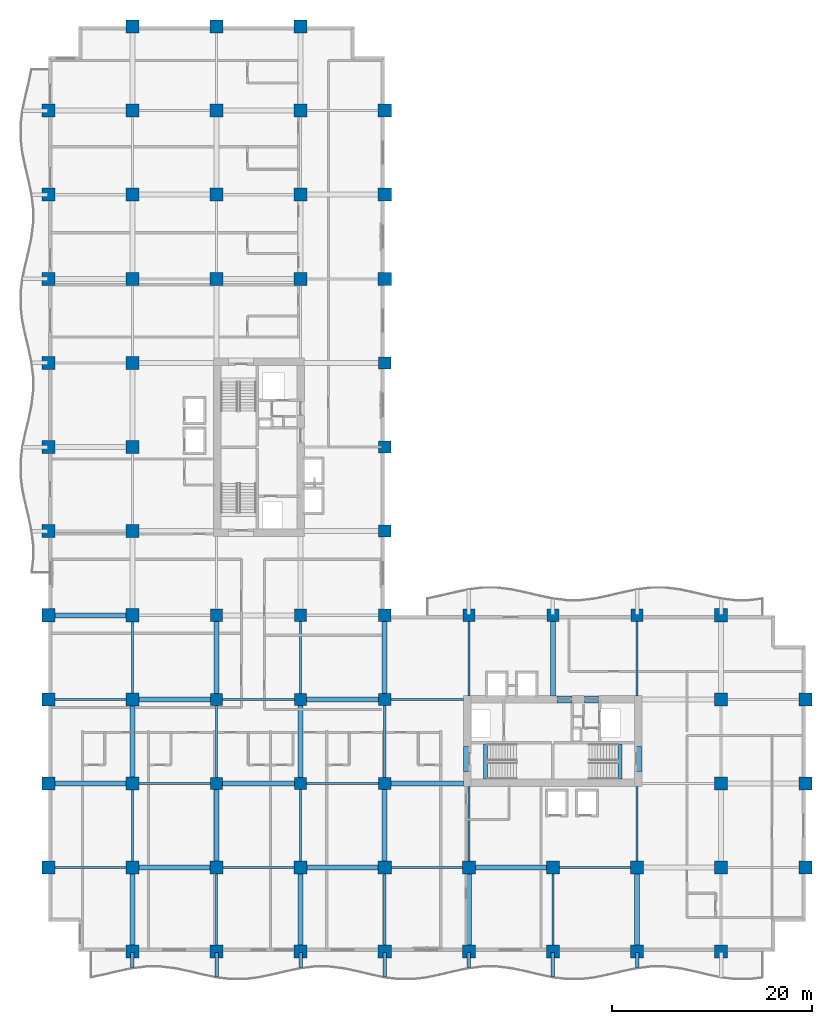
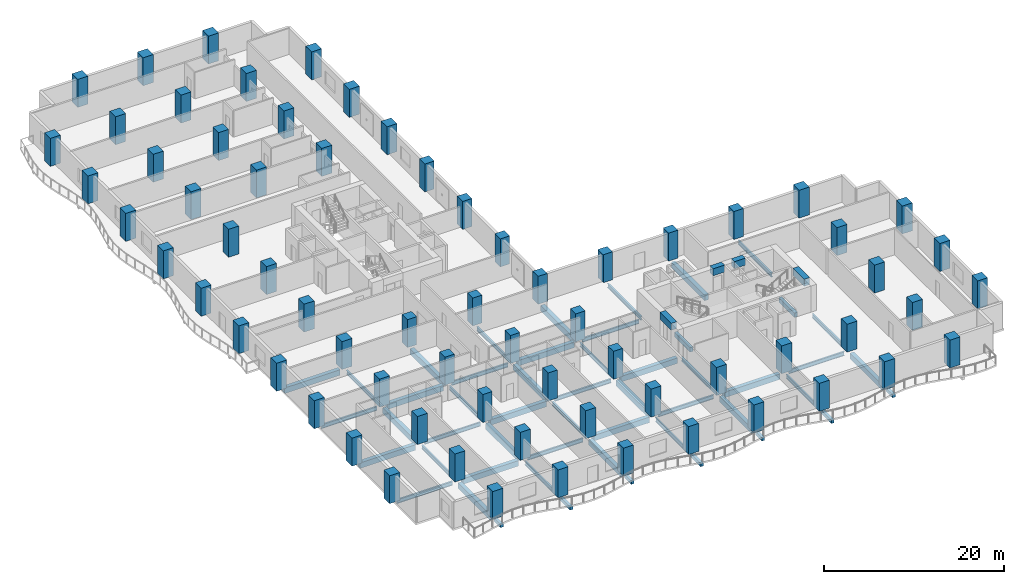
# One storey, part 1 of 17: 68 columns, 55 beams.
"""IFC4 building model written with IfcOpenShell, lengths in metres."""

import ifcopenshell
import ifcopenshell.guid

model = None  # the IFC model being written
_history = None  # IfcOwnerHistory: only IFC2X3 demands one
_inside = {}  # id of a spatial element -> (the spatial element, [elements in it])
_under = {}  # id of a project, library or spatial element -> (it, [spatial elements below it])
_declared = {}  # id of a project -> (the project, [libraries it declares])
_typed = {}  # id of a type object -> (the type object, [elements of that type])
_made_of = {}  # id of a material, layer set ... -> (it, [elements and type objects made of it])


def new_model(schema):
    """Start an empty IFC model of exactly this schema.

    Asked for "IFC4X3", IfcOpenShell would pick the latest addendum, in which some entities
    have other attributes; the version numbers below select the first issue.
    IFC2X3 requires an IfcOwnerHistory on every rooted entity: one is made here for all.
    """
    global model, _history
    if schema == "IFC4X3":
        model = ifcopenshell.file(schema_version=(4, 3, 0, 0))
    else:
        model = ifcopenshell.file(schema=schema)
    _inside.clear()
    _under.clear()
    _declared.clear()
    _typed.clear()
    _made_of.clear()
    _history = None
    if model.schema == "IFC2X3":
        org = make("IfcOrganization", Name="unknown")
        user = make(
            "IfcPersonAndOrganization",
            ThePerson=make("IfcPerson", FamilyName="unknown"),
            TheOrganization=org,
        )
        app = make(
            "IfcApplication",
            ApplicationDeveloper=org,
            Version="unknown",
            ApplicationFullName="unknown",
            ApplicationIdentifier="unknown",
        )
        _history = make(
            "IfcOwnerHistory",
            OwningUser=user,
            OwningApplication=app,
            ChangeAction="ADDED",
            CreationDate=0,
        )
    return model


def make(cls, **values):
    """One entity of the class cls with the attributes given. An attribute that is None is left unset."""
    return model.create_entity(
        cls, **{name: value for name, value in values.items() if value is not None}
    )


def rooted(cls, **values):
    """An entity with a GlobalId (a new one), such as an element, a storey or a relation."""
    return make(cls, GlobalId=ifcopenshell.guid.new(), OwnerHistory=_history, **values)


def si_unit(unit_type, name, prefix=None):
    """IfcSIUnit, for example si_unit("LENGTHUNIT", "METRE", prefix="MILLI")."""
    return make("IfcSIUnit", UnitType=unit_type, Prefix=prefix, Name=name)


def assignment(units):
    """IfcUnitAssignment: the units of a project."""
    return None if units is None else make("IfcUnitAssignment", Units=units)


def point(xyz):
    """IfcCartesianPoint."""
    return None if xyz is None else make("IfcCartesianPoint", Coordinates=xyz)


def direction(xyz):
    """IfcDirection."""
    return None if xyz is None else make("IfcDirection", DirectionRatios=xyz)


def frame(location, z_axis=None, x_axis=None):
    """IfcAxis2Placement3D, a coordinate frame: its origin and axes. An axis left out is left unset."""
    return make(
        "IfcAxis2Placement3D",
        Location=point(location),
        Axis=direction(z_axis),
        RefDirection=direction(x_axis),
    )


def frame_2d(location, x_axis=None):
    """IfcAxis2Placement2D, a coordinate frame in the plane: its origin and x axis."""
    return make(
        "IfcAxis2Placement2D", Location=point(location), RefDirection=direction(x_axis)
    )


def origin():
    """The frame at (0, 0, 0) with its axes left unset."""
    return frame((0.0, 0.0, 0.0))


def origin_2d():
    """The frame at (0, 0) in the plane with its x axis left unset."""
    return frame_2d((0.0, 0.0))


def place(relative_to, where):
    """IfcLocalPlacement: puts the frame where relative to a parent placement (None: the world)."""
    return make(
        "IfcLocalPlacement", PlacementRelTo=relative_to, RelativePlacement=where
    )


def context(
    kind, dimensions, precision=None, world=None, true_north=None, identifier=None
):
    """IfcGeometricRepresentationContext, for example the 3D "Model" context."""
    return make(
        "IfcGeometricRepresentationContext",
        ContextIdentifier=identifier,
        ContextType=kind,
        CoordinateSpaceDimension=dimensions,
        Precision=precision,
        WorldCoordinateSystem=world,
        TrueNorth=true_north,
    )


def subcontext(parent, identifier, kind, view, scale=None):
    """IfcGeometricRepresentationSubContext, for example "Body" below "Model"."""
    return make(
        "IfcGeometricRepresentationSubContext",
        ContextIdentifier=identifier,
        ContextType=kind,
        ParentContext=parent,
        TargetScale=scale,
        TargetView=view,
    )


def project(units=None, contexts=None):
    """IfcProject with its units and contexts."""
    return rooted(
        "IfcProject",
        Name="project",
        RepresentationContexts=contexts,
        UnitsInContext=assignment(units),
    )


def spatial(cls, under=None, at=None, **own):
    """A site, building, storey or space (cls), placed at a placement, below another one or the project."""
    s = rooted(cls, ObjectPlacement=at, **own)
    if under is not None:
        _under.setdefault(under.id(), (under, []))[1].append(s)
    return s


def profile(cls, at=None, kind="AREA", **sizes):
    """A parametric profile (cls). Its sizes go by their IFC names, for example OverallWidth=200.0."""
    return make(cls, ProfileType=kind, Position=at, **sizes)


def rectangle(**sizes):
    """IfcRectangleProfileDef."""
    return profile("IfcRectangleProfileDef", **sizes)


def i_section(**sizes):
    """IfcIShapeProfileDef."""
    return profile("IfcIShapeProfileDef", **sizes)


def extrude(swept, where, along, depth):
    """IfcExtrudedAreaSolid: the profile swept, set in the frame where, extruded along a direction by depth."""
    return make(
        "IfcExtrudedAreaSolid",
        SweptArea=swept,
        Position=where,
        ExtrudedDirection=direction(along),
        Depth=depth,
    )


def shape(context_of_items, identifier, shape_type, items):
    """IfcShapeRepresentation: the items that make up one representation, for example the "Body"."""
    return make(
        "IfcShapeRepresentation",
        ContextOfItems=context_of_items,
        RepresentationIdentifier=identifier,
        RepresentationType=shape_type,
        Items=items,
    )


def material(Name=None, Category=None):
    """IfcMaterial."""
    return make("IfcMaterial", Name=Name, Category=Category)


def material_profile(
    of_material, cross_section, Name=None, Category=None, Priority=None
):
    """IfcMaterialProfile: a cross section and its material."""
    return make(
        "IfcMaterialProfile",
        Name=Name,
        Material=of_material,
        Profile=cross_section,
        Priority=Priority,
        Category=Category,
    )


def profile_set(profiles, Name=None, composite=None):
    """IfcMaterialProfileSet."""
    return make(
        "IfcMaterialProfileSet",
        Name=Name,
        MaterialProfiles=profiles,
        CompositeProfile=composite,
    )


def made_of(thing, what):
    """Note that an element or type object is made of a material, layer set ...; save() writes the relation."""
    if what is not None:
        _made_of.setdefault(what.id(), (what, []))[1].append(thing)
    return thing


def type_object(cls, material=None, **own):
    """A type object (cls), such as IfcWallType, which elements share."""
    return made_of(rooted(cls, **own), material)


def element(
    cls,
    number,
    at=None,
    inside=None,
    cuts=None,
    type_object=None,
    material=None,
    context=None,
    identifier="Body",
    shape_type=None,
    held_by="IfcProductDefinitionShape",
    body=None,
    shapes=None,
    **own,
):
    """One element of the class cls, such as IfcWall. Its Tag is "e" and its number.

    at: its placement. inside: the storey or other place that contains it. cuts: it is an
    opening in that element (IfcRelVoidsElement). A single representation is given by context,
    identifier, shape_type and body (its items); several are given by shapes. held_by: the class
    of the entity that holds the representations. save() writes the other relations.
    """
    e = rooted(cls, Tag="e%d" % number, ObjectPlacement=at, **own)
    if body is not None:
        shapes = [shape(context, identifier, shape_type, body)]
    if shapes is not None:
        e.Representation = make(held_by, Representations=shapes)
    if inside is not None:
        _inside.setdefault(inside.id(), (inside, []))[1].append(e)
    if cuts is not None:
        rooted(
            "IfcRelVoidsElement", RelatingBuildingElement=cuts, RelatedOpeningElement=e
        )
    if type_object is not None:
        _typed.setdefault(type_object.id(), (type_object, []))[1].append(e)
    return made_of(e, material)


def aggregate(whole, parts):
    """IfcRelAggregates: a whole, such as a stair, and the parts it consists of."""
    return rooted("IfcRelAggregates", RelatingObject=whole, RelatedObjects=parts)


def save(model, path):
    """Write the relations noted so far, then the file.

    IfcRelAggregates (storeys below a building ...), IfcRelContainedInSpatialStructure (elements
    in a storey), IfcRelDefinesByType, IfcRelAssociatesMaterial and IfcRelDeclares: one each for
    every whole, place, type object, material and project.
    """
    for whole, parts in _under.values():
        aggregate(whole, parts)
    for where, things in _inside.values():
        rooted(
            "IfcRelContainedInSpatialStructure",
            RelatedElements=things,
            RelatingStructure=where,
        )
    for kind, things in _typed.values():
        rooted("IfcRelDefinesByType", RelatedObjects=things, RelatingType=kind)
    for what, things in _made_of.values():
        rooted("IfcRelAssociatesMaterial", RelatedObjects=things, RelatingMaterial=what)
    for by, libraries in _declared.values():
        rooted("IfcRelDeclares", RelatingContext=by, RelatedDefinitions=libraries)
    model.write(path)


model = new_model("IFC4")

# Units and contexts
model_context = context("Model", 3, precision=1e-05, world=origin(), true_north=direction((0.0, 1.0)))
body_context = subcontext(model_context, "Body", "Model", "MODEL_VIEW")
ifc_project = project(units=[si_unit("LENGTHUNIT", "METRE"), si_unit("AREAUNIT", "SQUARE_METRE"), si_unit("VOLUMEUNIT", "CUBIC_METRE"), si_unit("PLANEANGLEUNIT", "RADIAN"), si_unit("MASSUNIT", "GRAM", prefix="KILO")], contexts=[model_context])

# Site, building, storey
site_placement = place(None, origin())
site = spatial("IfcSite", under=ifc_project, at=site_placement, CompositionType="ELEMENT")
building_placement = place(site_placement, origin())
building = spatial("IfcBuilding", under=site, at=building_placement, Name="Koriwani Terraces Tower", CompositionType="ELEMENT")
storey_placement = place(building_placement, frame((0.0, 0.0, 122.800048828125)))
storey = spatial("IfcBuildingStorey", under=building, at=storey_placement, Name="L29", CompositionType="ELEMENT", Elevation=122.800048828125)

# Columns
ifc_material_1 = material(Name="Concrete C60/75", Category="concrete")
ifc_material_profile_1 = material_profile(ifc_material_1, rectangle(XDim=1.199951171875, YDim=1.199951171875, at=origin_2d()), Name="Concrete C60/75", Category="LoadBearing")
ifc_profile_set_1 = profile_set([ifc_material_profile_1], Name="Concrete C60/75")
column_type_1 = type_object("IfcColumnType", Name="COL_RC_1200X1200", PredefinedType="COLUMN", material=ifc_profile_set_1)
for number, where, z_axis, x_axis, name in (
    (1, (16.800048828125, 16.800048828125, 0.0), (0.0, 0.0, 1.0), (1.0, 0.0, 0.0), "L29 Column 3/C"),
    (2, (16.800048828125, 25.199951171875, 0.0), (0.0, 0.0, 1.0), (1.0, 0.0, 0.0), "L29 Column 3/D"),
    (3, (16.800048828125, 33.60009765625, 0.0), (0.0, 0.0, 1.0), (1.0, 0.0, 0.0), "L29 Column 3/E"),
    (4, (25.199951171875, 16.800048828125, 0.0), (0.0, 0.0, 1.0), (1.0, 0.0, 0.0), "L29 Column 4/C"),
    (5, (25.199951171875, 25.199951171875, 0.0), (0.0, 0.0, 1.0), (1.0, 0.0, 0.0), "L29 Column 4/D"),
    (6, (25.199951171875, 33.60009765625, 0.0), (0.0, 0.0, 1.0), (1.0, 0.0, 0.0), "L29 Column 4/E"),
    (7, (33.60009765625, 16.800048828125, 0.0), (0.0, 0.0, 1.0), (1.0, 0.0, 0.0), "L29 Column 5/C"),
    (8, (33.60009765625, 25.199951171875, 0.0), (0.0, 0.0, 1.0), (1.0, 0.0, 0.0), "L29 Column 5/D"),
    (9, (33.60009765625, 33.60009765625, 0.0), (0.0, 0.0, 1.0), (1.0, 0.0, 0.0), "L29 Column 5/E"),
    (10, (33.60009765625, 42.0, 0.0), (0.0, 0.0, 1.0), (1.0, 0.0, 0.0), "L29 Column 5/F"),
    (11, (33.60009765625, 50.39990234375, 0.0), (0.0, 0.0, 1.0), (1.0, 0.0, 0.0), "L29 Column 5/G"),
    (12, (33.60009765625, 58.800048828125, 0.0), (0.0, 0.0, 1.0), (1.0, 0.0, 0.0), "L29 Column 5/H"),
    (13, (42.0, 33.60009765625, 0.0), (0.0, 0.0, 1.0), (1.0, 0.0, 0.0), "L29 Column 6/E"),
    (14, (50.39990234375, 33.60009765625, 0.0), (0.0, 0.0, 1.0), (1.0, 0.0, 0.0), "L29 Column 7/E"),
    (15, (58.800048828125, 33.60009765625, 0.0), (0.0, 0.0, 1.0), (1.0, 0.0, 0.0), "L29 Column 8/E"),
):
    element("IfcColumn", number, at=place(storey_placement, frame(where, z_axis=z_axis, x_axis=x_axis)), inside=storey, type_object=column_type_1, Name=name, PredefinedType="COLUMN", context=body_context, shape_type="SweptSolid", body=[
        extrude(rectangle(XDim=1.199951171875, YDim=1.199951171875, at=origin_2d()), origin(), (0.0, 0.0, 1.0), 3.800048828125),
    ])
ifc_material_profile_2 = material_profile(ifc_material_1, rectangle(XDim=1.300048828125, YDim=1.300048828125, at=origin_2d()), Name="Concrete C60/75", Category="LoadBearing")
ifc_profile_set_2 = profile_set([ifc_material_profile_2], Name="Concrete C60/75")
column_type_2 = type_object("IfcColumnType", Name="COL_RC_1300X1300", PredefinedType="COLUMN", material=ifc_profile_set_2)
for number, where, z_axis, x_axis, name in (
    (16, (0.0, 8.39990234375, 0.0), (0.0, 0.0, 1.0), (1.0, 0.0, 0.0), "L29 Column 1/B"),
    (17, (0.0, 16.800048828125, 0.0), (0.0, 0.0, 1.0), (1.0, 0.0, 0.0), "L29 Column 1/C"),
    (18, (0.0, 25.199951171875, 0.0), (0.0, 0.0, 1.0), (1.0, 0.0, 0.0), "L29 Column 1/D"),
    (19, (0.0, 33.60009765625, 0.0), (0.0, 0.0, 1.0), (1.0, 0.0, 0.0), "L29 Column 1/E"),
    (20, (0.0, 42.0, 0.0), (0.0, 0.0, 1.0), (1.0, 0.0, 0.0), "L29 Column 1/F"),
    (21, (0.0, 50.39990234375, 0.0), (0.0, 0.0, 1.0), (1.0, 0.0, 0.0), "L29 Column 1/G"),
    (22, (0.0, 58.800048828125, 0.0), (0.0, 0.0, 1.0), (1.0, 0.0, 0.0), "L29 Column 1/H"),
    (23, (0.0, 67.199951171875, 0.0), (0.0, 0.0, 1.0), (1.0, 0.0, 0.0), "L29 Column 1/I"),
    (24, (0.0, 75.60009765625, 0.0), (0.0, 0.0, 1.0), (1.0, 0.0, 0.0), "L29 Column 1/J"),
    (25, (0.0, 84.0, 0.0), (0.0, 0.0, 1.0), (1.0, 0.0, 0.0), "L29 Column 1/K"),
    (26, (8.39990234375, 0.0, 0.0), (0.0, 0.0, 1.0), (1.0, 0.0, 0.0), "L29 Column 2/A"),
    (27, (8.39990234375, 8.39990234375, 0.0), (0.0, 0.0, 1.0), (1.0, 0.0, 0.0), "L29 Column 2/B"),
    (28, (8.39990234375, 16.800048828125, 0.0), (0.0, 0.0, 1.0), (1.0, 0.0, 0.0), "L29 Column 2/C"),
    (29, (8.39990234375, 25.199951171875, 0.0), (0.0, 0.0, 1.0), (1.0, 0.0, 0.0), "L29 Column 2/D"),
    (30, (8.39990234375, 33.60009765625, 0.0), (0.0, 0.0, 1.0), (1.0, 0.0, 0.0), "L29 Column 2/E"),
    (31, (8.39990234375, 42.0, 0.0), (0.0, 0.0, 1.0), (1.0, 0.0, 0.0), "L29 Column 2/F"),
    (32, (8.39990234375, 50.39990234375, 0.0), (0.0, 0.0, 1.0), (1.0, 0.0, 0.0), "L29 Column 2/G"),
    (33, (8.39990234375, 58.800048828125, 0.0), (0.0, 0.0, 1.0), (1.0, 0.0, 0.0), "L29 Column 2/H"),
    (34, (8.39990234375, 67.199951171875, 0.0), (0.0, 0.0, 1.0), (1.0, 0.0, 0.0), "L29 Column 2/I"),
    (35, (8.39990234375, 75.60009765625, 0.0), (0.0, 0.0, 1.0), (1.0, 0.0, 0.0), "L29 Column 2/J"),
    (36, (8.39990234375, 84.0, 0.0), (0.0, 0.0, 1.0), (1.0, 0.0, 0.0), "L29 Column 2/K"),
    (37, (8.39990234375, 92.39990234375, 0.0), (0.0, 0.0, 1.0), (1.0, 0.0, 0.0), "L29 Column 2/L"),
    (38, (16.800048828125, 0.0, 0.0), (0.0, 0.0, 1.0), (1.0, 0.0, 0.0), "L29 Column 3/A"),
    (39, (16.800048828125, 8.39990234375, 0.0), (0.0, 0.0, 1.0), (1.0, 0.0, 0.0), "L29 Column 3/B"),
    (40, (16.800048828125, 67.199951171875, 0.0), (0.0, 0.0, 1.0), (1.0, 0.0, 0.0), "L29 Column 3/I"),
    (41, (16.800048828125, 75.60009765625, 0.0), (0.0, 0.0, 1.0), (1.0, 0.0, 0.0), "L29 Column 3/J"),
    (42, (16.800048828125, 84.0, 0.0), (0.0, 0.0, 1.0), (1.0, 0.0, 0.0), "L29 Column 3/K"),
    (43, (16.800048828125, 92.39990234375, 0.0), (0.0, 0.0, 1.0), (1.0, 0.0, 0.0), "L29 Column 3/L"),
    (44, (25.199951171875, 0.0, 0.0), (0.0, 0.0, 1.0), (1.0, 0.0, 0.0), "L29 Column 4/A"),
    (45, (25.199951171875, 8.39990234375, 0.0), (0.0, 0.0, 1.0), (1.0, 0.0, 0.0), "L29 Column 4/B"),
    (46, (25.199951171875, 67.199951171875, 0.0), (0.0, 0.0, 1.0), (1.0, 0.0, 0.0), "L29 Column 4/I"),
    (47, (25.199951171875, 75.60009765625, 0.0), (0.0, 0.0, 1.0), (1.0, 0.0, 0.0), "L29 Column 4/J"),
    (48, (25.199951171875, 84.0, 0.0), (0.0, 0.0, 1.0), (1.0, 0.0, 0.0), "L29 Column 4/K"),
    (49, (25.199951171875, 92.39990234375, 0.0), (0.0, 0.0, 1.0), (1.0, 0.0, 0.0), "L29 Column 4/L"),
    (50, (33.60009765625, 0.0, 0.0), (0.0, 0.0, 1.0), (1.0, 0.0, 0.0), "L29 Column 5/A"),
    (51, (33.60009765625, 8.39990234375, 0.0), (0.0, 0.0, 1.0), (1.0, 0.0, 0.0), "L29 Column 5/B"),
    (52, (33.60009765625, 67.199951171875, 0.0), (0.0, 0.0, 1.0), (1.0, 0.0, 0.0), "L29 Column 5/I"),
    (53, (33.60009765625, 75.60009765625, 0.0), (0.0, 0.0, 1.0), (1.0, 0.0, 0.0), "L29 Column 5/J"),
    (54, (33.60009765625, 84.0, 0.0), (0.0, 0.0, 1.0), (1.0, 0.0, 0.0), "L29 Column 5/K"),
    (55, (42.0, 0.0, 0.0), (0.0, 0.0, 1.0), (1.0, 0.0, 0.0), "L29 Column 6/A"),
    (56, (42.0, 8.39990234375, 0.0), (0.0, 0.0, 1.0), (1.0, 0.0, 0.0), "L29 Column 6/B"),
    (57, (50.39990234375, 0.0, 0.0), (0.0, 0.0, 1.0), (1.0, 0.0, 0.0), "L29 Column 7/A"),
    (58, (50.39990234375, 8.39990234375, 0.0), (0.0, 0.0, 1.0), (1.0, 0.0, 0.0), "L29 Column 7/B"),
    (59, (58.800048828125, 0.0, 0.0), (0.0, 0.0, 1.0), (1.0, 0.0, 0.0), "L29 Column 8/A"),
    (60, (58.800048828125, 8.39990234375, 0.0), (0.0, 0.0, 1.0), (1.0, 0.0, 0.0), "L29 Column 8/B"),
    (61, (67.199951171875, 0.0, 0.0), (0.0, 0.0, 1.0), (1.0, 0.0, 0.0), "L29 Column 9/A"),
    (62, (67.199951171875, 8.39990234375, 0.0), (0.0, 0.0, 1.0), (1.0, 0.0, 0.0), "L29 Column 9/B"),
    (63, (67.199951171875, 16.800048828125, 0.0), (0.0, 0.0, 1.0), (1.0, 0.0, 0.0), "L29 Column 9/C"),
    (64, (67.199951171875, 25.199951171875, 0.0), (0.0, 0.0, 1.0), (1.0, 0.0, 0.0), "L29 Column 9/D"),
    (65, (67.199951171875, 33.60009765625, 0.0), (0.0, 0.0, 1.0), (1.0, 0.0, 0.0), "L29 Column 9/E"),
    (66, (75.60009765625, 8.39990234375, 0.0), (0.0, 0.0, 1.0), (1.0, 0.0, 0.0), "L29 Column 10/B"),
    (67, (75.60009765625, 16.800048828125, 0.0), (0.0, 0.0, 1.0), (1.0, 0.0, 0.0), "L29 Column 10/C"),
    (68, (75.60009765625, 25.199951171875, 0.0), (0.0, 0.0, 1.0), (1.0, 0.0, 0.0), "L29 Column 10/D"),
):
    element("IfcColumn", number, at=place(storey_placement, frame(where, z_axis=z_axis, x_axis=x_axis)), inside=storey, type_object=column_type_2, Name=name, PredefinedType="COLUMN", context=body_context, shape_type="SweptSolid", body=[
        extrude(rectangle(XDim=1.300048828125, YDim=1.300048828125, at=origin_2d()), origin(), (0.0, 0.0, 1.0), 3.800048828125),
    ])

# Beams
ifc_material_2 = material(Name="Concrete C40/50", Category="concrete")
ifc_material_profile_3 = material_profile(ifc_material_2, rectangle(XDim=0.35009765625, YDim=0.449951171875, at=origin_2d()), Name="Concrete C40/50", Category="LoadBearing")
ifc_profile_set_3 = profile_set([ifc_material_profile_3], Name="Concrete C40/50")
beam_type_1 = type_object("IfcBeamType", Name="BEAM_RC_BALCONY_RIB_350X450", PredefinedType="JOIST", material=ifc_profile_set_3)
beam_1_placement = place(storey_placement, frame((8.39990234375, -1.59033203125, -0.47509765625), z_axis=(0.0, 1.0, 0.0), x_axis=(-1.0, 0.0, 0.0)))
element("IfcBeam", 69, at=beam_1_placement, inside=storey, type_object=beam_type_1, Name="L29 Balcony Bracket Rib S-1", PredefinedType="JOIST", context=body_context, shape_type="SweptSolid", body=[
    extrude(rectangle(XDim=0.35009765625, YDim=0.449951171875, at=origin_2d()), origin(), (0.0, 0.0, 1.0), 1.490234375),
])
beam_2_placement = place(storey_placement, frame((16.800048828125, -2.509521484375, -0.47509765625), z_axis=(0.0, 1.0, 0.0), x_axis=(-1.0, 0.0, 0.0)))
element("IfcBeam", 70, at=beam_2_placement, inside=storey, type_object=beam_type_1, Name="L29 Balcony Bracket Rib S-2", PredefinedType="JOIST", context=body_context, shape_type="SweptSolid", body=[
    extrude(rectangle(XDim=0.35009765625, YDim=0.449951171875, at=origin_2d()), origin(), (0.0, 0.0, 1.0), 2.409423828125),
])
beam_3_placement = place(storey_placement, frame((25.199951171875, -1.59033203125, -0.47509765625), z_axis=(0.0, 1.0, 0.0), x_axis=(-1.0, 0.0, 0.0)))
element("IfcBeam", 71, at=beam_3_placement, inside=storey, type_object=beam_type_1, Name="L29 Balcony Bracket Rib S-3", PredefinedType="JOIST", context=body_context, shape_type="SweptSolid", body=[
    extrude(rectangle(XDim=0.35009765625, YDim=0.449951171875, at=origin_2d()), origin(), (0.0, 0.0, 1.0), 1.490234375),
])
beam_4_placement = place(storey_placement, frame((33.60009765625, -2.509521484375, -0.47509765625), z_axis=(0.0, 1.0, 0.0), x_axis=(-1.0, 0.0, 0.0)))
element("IfcBeam", 72, at=beam_4_placement, inside=storey, type_object=beam_type_1, Name="L29 Balcony Bracket Rib S-4", PredefinedType="JOIST", context=body_context, shape_type="SweptSolid", body=[
    extrude(rectangle(XDim=0.35009765625, YDim=0.449951171875, at=origin_2d()), origin(), (0.0, 0.0, 1.0), 2.409423828125),
])
beam_5_placement = place(storey_placement, frame((42.0, -1.59033203125, -0.47509765625), z_axis=(0.0, 1.0, 0.0), x_axis=(-1.0, 0.0, 0.0)))
element("IfcBeam", 73, at=beam_5_placement, inside=storey, type_object=beam_type_1, Name="L29 Balcony Bracket Rib S-5", PredefinedType="JOIST", context=body_context, shape_type="SweptSolid", body=[
    extrude(rectangle(XDim=0.35009765625, YDim=0.449951171875, at=origin_2d()), origin(), (0.0, 0.0, 1.0), 1.490234375),
])
beam_6_placement = place(storey_placement, frame((50.39990234375, -2.509521484375, -0.47509765625), z_axis=(0.0, 1.0, 0.0), x_axis=(-1.0, 0.0, 0.0)))
element("IfcBeam", 74, at=beam_6_placement, inside=storey, type_object=beam_type_1, Name="L29 Balcony Bracket Rib S-6", PredefinedType="JOIST", context=body_context, shape_type="SweptSolid", body=[
    extrude(rectangle(XDim=0.35009765625, YDim=0.449951171875, at=origin_2d()), origin(), (0.0, 0.0, 1.0), 2.409423828125),
])
beam_7_placement = place(storey_placement, frame((58.800048828125, -1.59033203125, -0.47509765625), z_axis=(0.0, 1.0, 0.0), x_axis=(-1.0, 0.0, 0.0)))
element("IfcBeam", 75, at=beam_7_placement, inside=storey, type_object=beam_type_1, Name="L29 Balcony Bracket Rib S-7", PredefinedType="JOIST", context=body_context, shape_type="SweptSolid", body=[
    extrude(rectangle(XDim=0.35009765625, YDim=0.449951171875, at=origin_2d()), origin(), (0.0, 0.0, 1.0), 1.490234375),
])
ifc_material_profile_4 = material_profile(ifc_material_1, rectangle(XDim=0.699951171875, YDim=0.949951171875, at=origin_2d()), Name="Concrete C60/75", Category="LoadBearing")
ifc_profile_set_4 = profile_set([ifc_material_profile_4], Name="Concrete C60/75")
beam_type_2 = type_object("IfcBeamType", Name="BEAM_RC_COUPLING_700X950", PredefinedType="LINTEL", material=ifc_profile_set_4)
beam_8_placement = place(storey_placement, frame((50.800048828125, 25.199951171875, 3.074951171875), z_axis=(1.0, 0.0, 0.0), x_axis=(0.0, 1.0, 0.0)))
element("IfcBeam", 76, at=beam_8_placement, inside=storey, type_object=beam_type_2, Name="L29 Core Coupling Lintel Beam EN1", PredefinedType="LINTEL", context=body_context, shape_type="SweptSolid", body=[
    extrude(rectangle(XDim=0.699951171875, YDim=0.949951171875, at=origin_2d()), origin(), (0.0, 0.0, 1.0), 1.47998046875),
])
beam_9_placement = place(storey_placement, frame((53.550048828125, 25.199951171875, 3.074951171875), z_axis=(1.0, 0.0, 0.0), x_axis=(0.0, 1.0, 0.0)))
element("IfcBeam", 77, at=beam_9_placement, inside=storey, type_object=beam_type_2, Name="L29 Core Coupling Lintel Beam EN2", PredefinedType="LINTEL", context=body_context, shape_type="SweptSolid", body=[
    extrude(rectangle(XDim=0.699951171875, YDim=0.949951171875, at=origin_2d()), origin(), (0.0, 0.0, 1.0), 1.39990234375),
])
for number, where, z_axis, x_axis, name in (
    (78, (41.824951171875, 18.0, 3.074951171875), (0.0, 1.0, 0.0), (-1.0, 0.0, 0.0), "L29 Core Coupling Lintel Beam EW"),
    (79, (58.925048828125, 18.0, 3.074951171875), (0.0, 1.0, 0.0), (-1.0, 0.0, 0.0), "L29 Core Coupling Lintel Beam EE"),
):
    element("IfcBeam", number, at=place(storey_placement, frame(where, z_axis=z_axis, x_axis=x_axis)), inside=storey, type_object=beam_type_2, Name=name, PredefinedType="LINTEL", context=body_context, shape_type="SweptSolid", body=[
        extrude(rectangle(XDim=0.699951171875, YDim=0.949951171875, at=origin_2d()), origin(), (0.0, 0.0, 1.0), 2.5),
    ])
ifc_material_profile_5 = material_profile(ifc_material_2, rectangle(XDim=0.39990234375, YDim=0.60009765625, at=origin_2d()), Name="Concrete C40/50", Category="LoadBearing")
ifc_profile_set_5 = profile_set([ifc_material_profile_5], Name="Concrete C40/50")
beam_type_3 = type_object("IfcBeamType", Name="BEAM_RC_GRID_400X600", PredefinedType="BEAM", material=ifc_profile_set_5)
for number, where, z_axis, x_axis, name in (
    (80, (43.655029296875, 17.25, -0.300048828125), (0.0, 1.0, 0.0), (-1.0, 0.0, 0.0), "L29 Stairwell Header Trimmer Beam ST-E1"),
    (81, (57.094970703125, 17.25, -0.300048828125), (0.0, 1.0, 0.0), (-1.0, 0.0, 0.0), "L29 Stairwell Header Trimmer Beam ST-E2"),
):
    element("IfcBeam", number, at=place(storey_placement, frame(where, z_axis=z_axis, x_axis=x_axis)), inside=storey, type_object=beam_type_3, Name=name, PredefinedType="BEAM", context=body_context, shape_type="SweptSolid", body=[
        extrude(rectangle(XDim=0.39990234375, YDim=0.60009765625, at=origin_2d()), origin(), (0.0, 0.0, 1.0), 3.5),
    ])
ifc_material_3 = material(Name="Concrete C50/60", Category="concrete")
ifc_material_profile_6 = material_profile(ifc_material_3, rectangle(XDim=0.5, YDim=0.75, at=origin_2d()), Name="Concrete C50/60", Category="LoadBearing")
ifc_profile_set_6 = profile_set([ifc_material_profile_6], Name="Concrete C50/60")
beam_type_4 = type_object("IfcBeamType", Name="BEAM_RC_GRID_500X750", PredefinedType="BEAM", material=ifc_profile_set_6)
for number, where, z_axis, x_axis, name in (
    (82, (9.030029296875, 8.39990234375, -0.625), (1.0, 0.0, 0.0), (0.0, 1.0, 0.0), "L29 Grid Beam B (8.4-16.8m)"),
    (83, (25.830078125, 8.39990234375, -0.625), (1.0, 0.0, 0.0), (0.0, 1.0, 0.0), "L29 Grid Beam B (25.2-33.6m)"),
):
    element("IfcBeam", number, at=place(storey_placement, frame(where, z_axis=z_axis, x_axis=x_axis)), inside=storey, type_object=beam_type_4, Name=name, PredefinedType="BEAM", context=body_context, shape_type="SweptSolid", body=[
        extrude(rectangle(XDim=0.5, YDim=0.75, at=origin_2d()), origin(), (0.0, 0.0, 1.0), 7.139892578125),
    ])
for number, where, z_axis, x_axis, name in (
    (84, (42.6298828125, 8.39990234375, -0.625), (1.0, 0.0, 0.0), (0.0, 1.0, 0.0), "L29 Grid Beam B (42.0-50.4m)"),
    (85, (0.6298828125, 16.800048828125, -0.625), (1.0, 0.0, 0.0), (0.0, 1.0, 0.0), "L29 Grid Beam C (0.0-8.4m)"),
):
    element("IfcBeam", number, at=place(storey_placement, frame(where, z_axis=z_axis, x_axis=x_axis)), inside=storey, type_object=beam_type_4, Name=name, PredefinedType="BEAM", context=body_context, shape_type="SweptSolid", body=[
        extrude(rectangle(XDim=0.5, YDim=0.75, at=origin_2d()), origin(), (0.0, 0.0, 1.0), 7.14013671875),
    ])
beam_10_placement = place(storey_placement, frame((17.3798828125, 16.800048828125, -0.625), z_axis=(1.0, 0.0, 0.0), x_axis=(0.0, 1.0, 0.0)))
element("IfcBeam", 86, at=beam_10_placement, inside=storey, type_object=beam_type_4, Name="L29 Grid Beam C (16.8-25.2m)", PredefinedType="BEAM", context=body_context, shape_type="SweptSolid", body=[
    extrude(rectangle(XDim=0.5, YDim=0.75, at=origin_2d()), origin(), (0.0, 0.0, 1.0), 7.240234375),
])
beam_11_placement = place(storey_placement, frame((34.179931640625, 16.800048828125, -0.625), z_axis=(1.0, 0.0, 0.0), x_axis=(0.0, 1.0, 0.0)))
element("IfcBeam", 87, at=beam_11_placement, inside=storey, type_object=beam_type_4, Name="L29 Grid Beam C (33.6-42.0m)", PredefinedType="BEAM", context=body_context, shape_type="SweptSolid", body=[
    extrude(rectangle(XDim=0.5, YDim=0.75, at=origin_2d()), origin(), (0.0, 0.0, 1.0), 7.2900390625),
])
beam_12_placement = place(storey_placement, frame((9.030029296875, 25.199951171875, -0.625), z_axis=(1.0, 0.0, 0.0), x_axis=(0.0, 1.0, 0.0)))
element("IfcBeam", 88, at=beam_12_placement, inside=storey, type_object=beam_type_4, Name="L29 Grid Beam D (8.4-16.8m)", PredefinedType="BEAM", context=body_context, shape_type="SweptSolid", body=[
    extrude(rectangle(XDim=0.5, YDim=0.75, at=origin_2d()), origin(), (0.0, 0.0, 1.0), 7.18994140625),
])
beam_13_placement = place(storey_placement, frame((25.780029296875, 25.199951171875, -0.625), z_axis=(1.0, 0.0, 0.0), x_axis=(0.0, 1.0, 0.0)))
element("IfcBeam", 89, at=beam_13_placement, inside=storey, type_object=beam_type_4, Name="L29 Grid Beam D (25.2-33.6m)", PredefinedType="BEAM", context=body_context, shape_type="SweptSolid", body=[
    extrude(rectangle(XDim=0.5, YDim=0.75, at=origin_2d()), origin(), (0.0, 0.0, 1.0), 7.239990234375),
])
for number, where, z_axis, x_axis, name in (
    (90, (0.6298828125, 33.60009765625, -0.625), (1.0, 0.0, 0.0), (0.0, 1.0, 0.0), "L29 Grid Beam E (0.0-8.4m)"),
    (91, (8.39990234375, 0.6298828125, -0.625), (0.0, 1.0, 0.0), (-1.0, 0.0, 0.0), "L29 Grid Beam 2 (0.0-8.4m)"),
    (92, (8.39990234375, 17.429931640625, -0.625), (0.0, 1.0, 0.0), (-1.0, 0.0, 0.0), "L29 Grid Beam 2 (16.8-25.2m)"),
):
    element("IfcBeam", number, at=place(storey_placement, frame(where, z_axis=z_axis, x_axis=x_axis)), inside=storey, type_object=beam_type_4, Name=name, PredefinedType="BEAM", context=body_context, shape_type="SweptSolid", body=[
        extrude(rectangle(XDim=0.5, YDim=0.75, at=origin_2d()), origin(), (0.0, 0.0, 1.0), 7.14013671875),
    ])
beam_14_placement = place(storey_placement, frame((16.800048828125, 9.030029296875, -0.625), z_axis=(0.0, 1.0, 0.0), x_axis=(-1.0, 0.0, 0.0)))
element("IfcBeam", 93, at=beam_14_placement, inside=storey, type_object=beam_type_4, Name="L29 Grid Beam 3 (8.4-16.8m)", PredefinedType="BEAM", context=body_context, shape_type="SweptSolid", body=[
    extrude(rectangle(XDim=0.5, YDim=0.75, at=origin_2d()), origin(), (0.0, 0.0, 1.0), 7.18994140625),
])
beam_15_placement = place(storey_placement, frame((16.800048828125, 25.780029296875, -0.625), z_axis=(0.0, 1.0, 0.0), x_axis=(-1.0, 0.0, 0.0)))
element("IfcBeam", 94, at=beam_15_placement, inside=storey, type_object=beam_type_4, Name="L29 Grid Beam 3 (25.2-33.6m)", PredefinedType="BEAM", context=body_context, shape_type="SweptSolid", body=[
    extrude(rectangle(XDim=0.5, YDim=0.75, at=origin_2d()), origin(), (0.0, 0.0, 1.0), 7.239990234375),
])
beam_16_placement = place(storey_placement, frame((25.199951171875, 0.6298828125, -0.625), z_axis=(0.0, 1.0, 0.0), x_axis=(-1.0, 0.0, 0.0)))
element("IfcBeam", 95, at=beam_16_placement, inside=storey, type_object=beam_type_4, Name="L29 Grid Beam 4 (0.0-8.4m)", PredefinedType="BEAM", context=body_context, shape_type="SweptSolid", body=[
    extrude(rectangle(XDim=0.5, YDim=0.75, at=origin_2d()), origin(), (0.0, 0.0, 1.0), 7.14013671875),
])
beam_17_placement = place(storey_placement, frame((25.199951171875, 17.3798828125, -0.625), z_axis=(0.0, 1.0, 0.0), x_axis=(-1.0, 0.0, 0.0)))
element("IfcBeam", 96, at=beam_17_placement, inside=storey, type_object=beam_type_4, Name="L29 Grid Beam 4 (16.8-25.2m)", PredefinedType="BEAM", context=body_context, shape_type="SweptSolid", body=[
    extrude(rectangle(XDim=0.5, YDim=0.75, at=origin_2d()), origin(), (0.0, 0.0, 1.0), 7.240234375),
])
beam_18_placement = place(storey_placement, frame((33.60009765625, 9.030029296875, -0.625), z_axis=(0.0, 1.0, 0.0), x_axis=(-1.0, 0.0, 0.0)))
element("IfcBeam", 97, at=beam_18_placement, inside=storey, type_object=beam_type_4, Name="L29 Grid Beam 5 (8.4-16.8m)", PredefinedType="BEAM", context=body_context, shape_type="SweptSolid", body=[
    extrude(rectangle(XDim=0.5, YDim=0.75, at=origin_2d()), origin(), (0.0, 0.0, 1.0), 7.18994140625),
])
beam_19_placement = place(storey_placement, frame((33.60009765625, 25.780029296875, -0.625), z_axis=(0.0, 1.0, 0.0), x_axis=(-1.0, 0.0, 0.0)))
element("IfcBeam", 98, at=beam_19_placement, inside=storey, type_object=beam_type_4, Name="L29 Grid Beam 5 (25.2-33.6m)", PredefinedType="BEAM", context=body_context, shape_type="SweptSolid", body=[
    extrude(rectangle(XDim=0.5, YDim=0.75, at=origin_2d()), origin(), (0.0, 0.0, 1.0), 7.239990234375),
])
beam_20_placement = place(storey_placement, frame((42.0, 0.6298828125, -0.625), z_axis=(0.0, 1.0, 0.0), x_axis=(-1.0, 0.0, 0.0)))
element("IfcBeam", 99, at=beam_20_placement, inside=storey, type_object=beam_type_4, Name="L29 Grid Beam 6 (0.0-8.4m)", PredefinedType="BEAM", context=body_context, shape_type="SweptSolid", body=[
    extrude(rectangle(XDim=0.5, YDim=0.75, at=origin_2d()), origin(), (0.0, 0.0, 1.0), 7.14013671875),
])
beam_21_placement = place(storey_placement, frame((50.39990234375, 25.554931640625, -0.625), z_axis=(0.0, 1.0, 0.0), x_axis=(-1.0, 0.0, 0.0)))
element("IfcBeam", 100, at=beam_21_placement, inside=storey, type_object=beam_type_4, Name="L29 Grid Beam 7 (25.2-33.6m)", PredefinedType="BEAM", context=body_context, shape_type="SweptSolid", body=[
    extrude(rectangle(XDim=0.5, YDim=0.75, at=origin_2d()), origin(), (0.0, 0.0, 1.0), 7.465087890625),
])
beam_22_placement = place(storey_placement, frame((58.800048828125, 0.6298828125, -0.625), z_axis=(0.0, 1.0, 0.0), x_axis=(-1.0, 0.0, 0.0)))
element("IfcBeam", 101, at=beam_22_placement, inside=storey, type_object=beam_type_4, Name="L29 Grid Beam 8 (0.0-8.4m)", PredefinedType="BEAM", context=body_context, shape_type="SweptSolid", body=[
    extrude(rectangle(XDim=0.5, YDim=0.75, at=origin_2d()), origin(), (0.0, 0.0, 1.0), 7.14013671875),
])
ifc_material_4 = material(Name="Steel ASTM A572 Grade 50", Category="steel")
ifc_material_profile_7 = material_profile(ifc_material_4, i_section(OverallWidth=0.2109375, OverallDepth=0.5390625, WebThickness=0.01171875, FlangeThickness=0.018798828125, at=origin_2d()), Name="Steel ASTM A572 Grade 50", Category="LoadBearing")
ifc_profile_set_7 = profile_set([ifc_material_profile_7], Name="Steel ASTM A572 Grade 50")
beam_type_5 = type_object("IfcBeamType", Name="STEEL_BEAM_W530X109", PredefinedType="BEAM", material=ifc_profile_set_7)
for number, where, z_axis, x_axis, name in (
    (102, (0.6298828125, 8.39990234375, -0.51953125), (1.0, 0.0, 0.0), (0.0, 1.0, 0.0), "L29 Grid Beam B (0.0-8.4m)"),
    (103, (17.429931640625, 8.39990234375, -0.51953125), (1.0, 0.0, 0.0), (0.0, 1.0, 0.0), "L29 Grid Beam B (16.8-25.2m)"),
    (104, (34.22998046875, 8.39990234375, -0.51953125), (1.0, 0.0, 0.0), (0.0, 1.0, 0.0), "L29 Grid Beam B (33.6-42.0m)"),
):
    element("IfcBeam", number, at=place(storey_placement, frame(where, z_axis=z_axis, x_axis=x_axis)), inside=storey, type_object=beam_type_5, Name=name, PredefinedType="BEAM", context=body_context, shape_type="SweptSolid", body=[
        extrude(i_section(OverallWidth=0.2109375, OverallDepth=0.5390625, WebThickness=0.01171875, FlangeThickness=0.018798828125, at=origin_2d()), origin(), (0.0, 0.0, 1.0), 7.14013671875),
    ])
beam_23_placement = place(storey_placement, frame((51.030029296875, 8.39990234375, -0.51953125), z_axis=(1.0, 0.0, 0.0), x_axis=(0.0, 1.0, 0.0)))
element("IfcBeam", 105, at=beam_23_placement, inside=storey, type_object=beam_type_5, Name="L29 Grid Beam B (50.4-58.8m)", PredefinedType="BEAM", context=body_context, shape_type="SweptSolid", body=[
    extrude(i_section(OverallWidth=0.2109375, OverallDepth=0.5390625, WebThickness=0.01171875, FlangeThickness=0.018798828125, at=origin_2d()), origin(), (0.0, 0.0, 1.0), 7.139892578125),
])
beam_24_placement = place(storey_placement, frame((9.030029296875, 16.800048828125, -0.51953125), z_axis=(1.0, 0.0, 0.0), x_axis=(0.0, 1.0, 0.0)))
element("IfcBeam", 106, at=beam_24_placement, inside=storey, type_object=beam_type_5, Name="L29 Grid Beam C (8.4-16.8m)", PredefinedType="BEAM", context=body_context, shape_type="SweptSolid", body=[
    extrude(i_section(OverallWidth=0.2109375, OverallDepth=0.5390625, WebThickness=0.01171875, FlangeThickness=0.018798828125, at=origin_2d()), origin(), (0.0, 0.0, 1.0), 7.18994140625),
])
beam_25_placement = place(storey_placement, frame((25.780029296875, 16.800048828125, -0.51953125), z_axis=(1.0, 0.0, 0.0), x_axis=(0.0, 1.0, 0.0)))
element("IfcBeam", 107, at=beam_25_placement, inside=storey, type_object=beam_type_5, Name="L29 Grid Beam C (25.2-33.6m)", PredefinedType="BEAM", context=body_context, shape_type="SweptSolid", body=[
    extrude(i_section(OverallWidth=0.2109375, OverallDepth=0.5390625, WebThickness=0.01171875, FlangeThickness=0.018798828125, at=origin_2d()), origin(), (0.0, 0.0, 1.0), 7.239990234375),
])
beam_26_placement = place(storey_placement, frame((0.6298828125, 25.199951171875, -0.51953125), z_axis=(1.0, 0.0, 0.0), x_axis=(0.0, 1.0, 0.0)))
element("IfcBeam", 108, at=beam_26_placement, inside=storey, type_object=beam_type_5, Name="L29 Grid Beam D (0.0-8.4m)", PredefinedType="BEAM", context=body_context, shape_type="SweptSolid", body=[
    extrude(i_section(OverallWidth=0.2109375, OverallDepth=0.5390625, WebThickness=0.01171875, FlangeThickness=0.018798828125, at=origin_2d()), origin(), (0.0, 0.0, 1.0), 7.14013671875),
])
beam_27_placement = place(storey_placement, frame((17.3798828125, 25.199951171875, -0.51953125), z_axis=(1.0, 0.0, 0.0), x_axis=(0.0, 1.0, 0.0)))
element("IfcBeam", 109, at=beam_27_placement, inside=storey, type_object=beam_type_5, Name="L29 Grid Beam D (16.8-25.2m)", PredefinedType="BEAM", context=body_context, shape_type="SweptSolid", body=[
    extrude(i_section(OverallWidth=0.2109375, OverallDepth=0.5390625, WebThickness=0.01171875, FlangeThickness=0.018798828125, at=origin_2d()), origin(), (0.0, 0.0, 1.0), 7.240234375),
])
beam_28_placement = place(storey_placement, frame((34.179931640625, 25.199951171875, -0.51953125), z_axis=(1.0, 0.0, 0.0), x_axis=(0.0, 1.0, 0.0)))
element("IfcBeam", 110, at=beam_28_placement, inside=storey, type_object=beam_type_5, Name="L29 Grid Beam D (33.6-42.0m)", PredefinedType="BEAM", context=body_context, shape_type="SweptSolid", body=[
    extrude(i_section(OverallWidth=0.2109375, OverallDepth=0.5390625, WebThickness=0.01171875, FlangeThickness=0.018798828125, at=origin_2d()), origin(), (0.0, 0.0, 1.0), 7.2900390625),
])
for number, where, z_axis, x_axis, name in (
    (111, (8.39990234375, 9.030029296875, -0.51953125), (0.0, 1.0, 0.0), (-1.0, 0.0, 0.0), "L29 Grid Beam 2 (8.4-16.8m)"),
    (112, (8.39990234375, 25.830078125, -0.51953125), (0.0, 1.0, 0.0), (-1.0, 0.0, 0.0), "L29 Grid Beam 2 (25.2-33.6m)"),
):
    element("IfcBeam", number, at=place(storey_placement, frame(where, z_axis=z_axis, x_axis=x_axis)), inside=storey, type_object=beam_type_5, Name=name, PredefinedType="BEAM", context=body_context, shape_type="SweptSolid", body=[
        extrude(i_section(OverallWidth=0.2109375, OverallDepth=0.5390625, WebThickness=0.01171875, FlangeThickness=0.018798828125, at=origin_2d()), origin(), (0.0, 0.0, 1.0), 7.139892578125),
    ])
beam_29_placement = place(storey_placement, frame((16.800048828125, 0.6298828125, -0.51953125), z_axis=(0.0, 1.0, 0.0), x_axis=(-1.0, 0.0, 0.0)))
element("IfcBeam", 113, at=beam_29_placement, inside=storey, type_object=beam_type_5, Name="L29 Grid Beam 3 (0.0-8.4m)", PredefinedType="BEAM", context=body_context, shape_type="SweptSolid", body=[
    extrude(i_section(OverallWidth=0.2109375, OverallDepth=0.5390625, WebThickness=0.01171875, FlangeThickness=0.018798828125, at=origin_2d()), origin(), (0.0, 0.0, 1.0), 7.14013671875),
])
beam_30_placement = place(storey_placement, frame((16.800048828125, 17.3798828125, -0.51953125), z_axis=(0.0, 1.0, 0.0), x_axis=(-1.0, 0.0, 0.0)))
element("IfcBeam", 114, at=beam_30_placement, inside=storey, type_object=beam_type_5, Name="L29 Grid Beam 3 (16.8-25.2m)", PredefinedType="BEAM", context=body_context, shape_type="SweptSolid", body=[
    extrude(i_section(OverallWidth=0.2109375, OverallDepth=0.5390625, WebThickness=0.01171875, FlangeThickness=0.018798828125, at=origin_2d()), origin(), (0.0, 0.0, 1.0), 7.240234375),
])
beam_31_placement = place(storey_placement, frame((25.199951171875, 9.030029296875, -0.51953125), z_axis=(0.0, 1.0, 0.0), x_axis=(-1.0, 0.0, 0.0)))
element("IfcBeam", 115, at=beam_31_placement, inside=storey, type_object=beam_type_5, Name="L29 Grid Beam 4 (8.4-16.8m)", PredefinedType="BEAM", context=body_context, shape_type="SweptSolid", body=[
    extrude(i_section(OverallWidth=0.2109375, OverallDepth=0.5390625, WebThickness=0.01171875, FlangeThickness=0.018798828125, at=origin_2d()), origin(), (0.0, 0.0, 1.0), 7.18994140625),
])
beam_32_placement = place(storey_placement, frame((25.199951171875, 25.780029296875, -0.51953125), z_axis=(0.0, 1.0, 0.0), x_axis=(-1.0, 0.0, 0.0)))
element("IfcBeam", 116, at=beam_32_placement, inside=storey, type_object=beam_type_5, Name="L29 Grid Beam 4 (25.2-33.6m)", PredefinedType="BEAM", context=body_context, shape_type="SweptSolid", body=[
    extrude(i_section(OverallWidth=0.2109375, OverallDepth=0.5390625, WebThickness=0.01171875, FlangeThickness=0.018798828125, at=origin_2d()), origin(), (0.0, 0.0, 1.0), 7.239990234375),
])
beam_33_placement = place(storey_placement, frame((33.60009765625, 0.6298828125, -0.51953125), z_axis=(0.0, 1.0, 0.0), x_axis=(-1.0, 0.0, 0.0)))
element("IfcBeam", 117, at=beam_33_placement, inside=storey, type_object=beam_type_5, Name="L29 Grid Beam 5 (0.0-8.4m)", PredefinedType="BEAM", context=body_context, shape_type="SweptSolid", body=[
    extrude(i_section(OverallWidth=0.2109375, OverallDepth=0.5390625, WebThickness=0.01171875, FlangeThickness=0.018798828125, at=origin_2d()), origin(), (0.0, 0.0, 1.0), 7.14013671875),
])
beam_34_placement = place(storey_placement, frame((33.60009765625, 17.3798828125, -0.51953125), z_axis=(0.0, 1.0, 0.0), x_axis=(-1.0, 0.0, 0.0)))
element("IfcBeam", 118, at=beam_34_placement, inside=storey, type_object=beam_type_5, Name="L29 Grid Beam 5 (16.8-25.2m)", PredefinedType="BEAM", context=body_context, shape_type="SweptSolid", body=[
    extrude(i_section(OverallWidth=0.2109375, OverallDepth=0.5390625, WebThickness=0.01171875, FlangeThickness=0.018798828125, at=origin_2d()), origin(), (0.0, 0.0, 1.0), 7.240234375),
])
beam_35_placement = place(storey_placement, frame((42.0, 9.030029296875, -0.51953125), z_axis=(0.0, 1.0, 0.0), x_axis=(-1.0, 0.0, 0.0)))
element("IfcBeam", 119, at=beam_35_placement, inside=storey, type_object=beam_type_5, Name="L29 Grid Beam 6 (8.4-16.8m)", PredefinedType="BEAM", context=body_context, shape_type="SweptSolid", body=[
    extrude(i_section(OverallWidth=0.2109375, OverallDepth=0.5390625, WebThickness=0.01171875, FlangeThickness=0.018798828125, at=origin_2d()), origin(), (0.0, 0.0, 1.0), 7.489990234375),
])
beam_36_placement = place(storey_placement, frame((42.0, 25.554931640625, -0.51953125), z_axis=(0.0, 1.0, 0.0), x_axis=(-1.0, 0.0, 0.0)))
element("IfcBeam", 120, at=beam_36_placement, inside=storey, type_object=beam_type_5, Name="L29 Grid Beam 6 (25.2-33.6m)", PredefinedType="BEAM", context=body_context, shape_type="SweptSolid", body=[
    extrude(i_section(OverallWidth=0.2109375, OverallDepth=0.5390625, WebThickness=0.01171875, FlangeThickness=0.018798828125, at=origin_2d()), origin(), (0.0, 0.0, 1.0), 7.465087890625),
])
beam_37_placement = place(storey_placement, frame((50.39990234375, 0.6298828125, -0.51953125), z_axis=(0.0, 1.0, 0.0), x_axis=(-1.0, 0.0, 0.0)))
element("IfcBeam", 121, at=beam_37_placement, inside=storey, type_object=beam_type_5, Name="L29 Grid Beam 7 (0.0-8.4m)", PredefinedType="BEAM", context=body_context, shape_type="SweptSolid", body=[
    extrude(i_section(OverallWidth=0.2109375, OverallDepth=0.5390625, WebThickness=0.01171875, FlangeThickness=0.018798828125, at=origin_2d()), origin(), (0.0, 0.0, 1.0), 7.14013671875),
])
beam_38_placement = place(storey_placement, frame((58.800048828125, 9.030029296875, -0.51953125), z_axis=(0.0, 1.0, 0.0), x_axis=(-1.0, 0.0, 0.0)))
element("IfcBeam", 122, at=beam_38_placement, inside=storey, type_object=beam_type_5, Name="L29 Grid Beam 8 (8.4-16.8m)", PredefinedType="BEAM", context=body_context, shape_type="SweptSolid", body=[
    extrude(i_section(OverallWidth=0.2109375, OverallDepth=0.5390625, WebThickness=0.01171875, FlangeThickness=0.018798828125, at=origin_2d()), origin(), (0.0, 0.0, 1.0), 7.489990234375),
])
beam_39_placement = place(storey_placement, frame((58.800048828125, 25.554931640625, -0.51953125), z_axis=(0.0, 1.0, 0.0), x_axis=(-1.0, 0.0, 0.0)))
element("IfcBeam", 123, at=beam_39_placement, inside=storey, type_object=beam_type_5, Name="L29 Grid Beam 8 (25.2-33.6m)", PredefinedType="BEAM", context=body_context, shape_type="SweptSolid", body=[
    extrude(i_section(OverallWidth=0.2109375, OverallDepth=0.5390625, WebThickness=0.01171875, FlangeThickness=0.018798828125, at=origin_2d()), origin(), (0.0, 0.0, 1.0), 7.465087890625),
])

save(model, "model.ifc")
